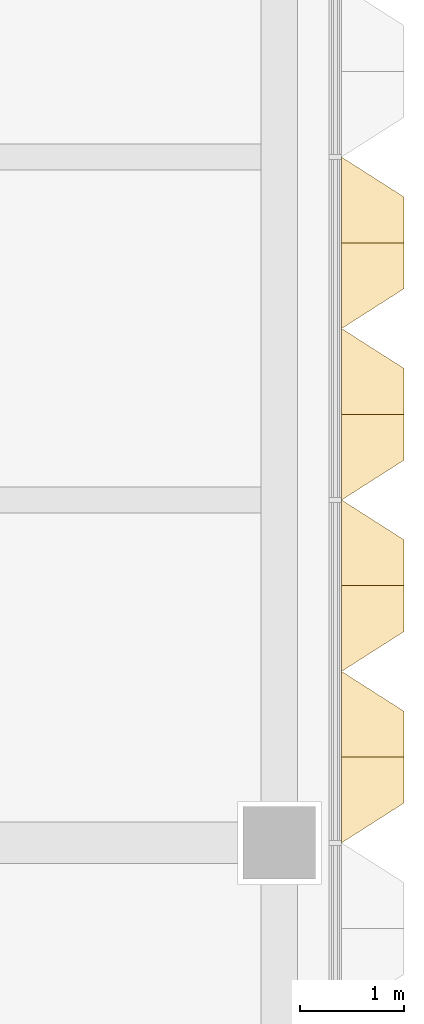
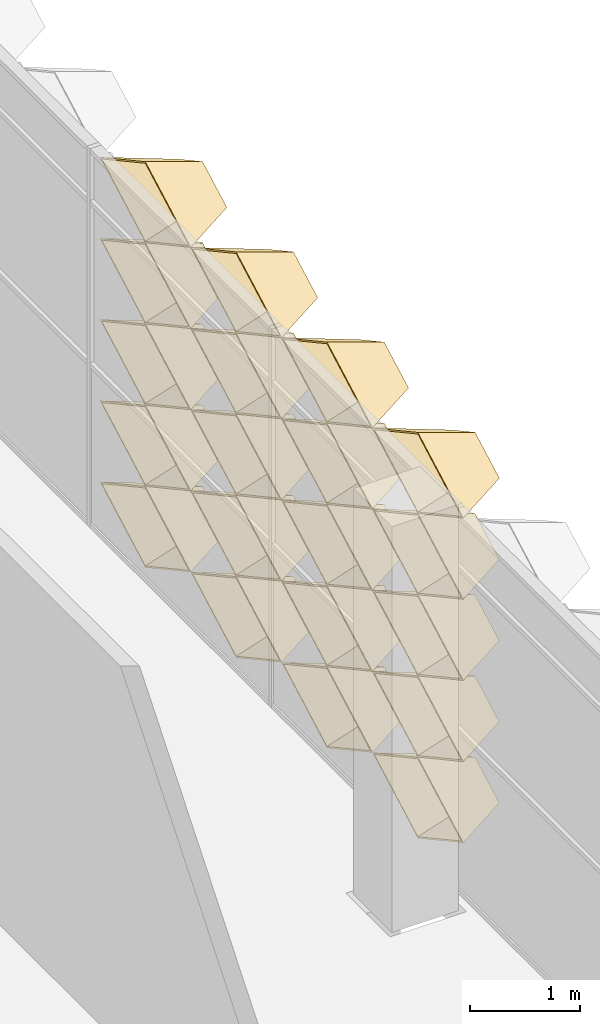
# One storey, part 19 of 29: 20 coverings.
"""IFC4 building model written with IfcOpenShell, lengths in metres."""

from ifc_helpers import new_model, entity, si_unit, direction, frame, origin, place, context, subcontext, project, spatial, material, layer, layer_set, type_object, element, save


model = new_model("IFC4")

# Units and contexts
model_context = context("Model", 3, precision=1e-05, world=origin(), true_north=direction((0.0, 1.0)))
body_context = subcontext(model_context, "Body", "Model", "MODEL_VIEW")
ifc_project = project(units=[si_unit("LENGTHUNIT", "METRE"), si_unit("AREAUNIT", "SQUARE_METRE"), si_unit("VOLUMEUNIT", "CUBIC_METRE"), si_unit("PLANEANGLEUNIT", "RADIAN"), si_unit("MASSUNIT", "GRAM", prefix="KILO")], contexts=[model_context])

# Site, building, storey
site_placement = place(None, origin())
site = spatial("IfcSite", under=ifc_project, at=site_placement, CompositionType="ELEMENT")
building_placement = place(site_placement, origin())
building = spatial("IfcBuilding", under=site, at=building_placement, Name="Lantern Court Research Institute", CompositionType="ELEMENT")
storey_placement = place(building_placement, frame((0.0, 0.0, 32.39990234375)))
storey = spatial("IfcBuildingStorey", under=building, at=storey_placement, Name="L07", CompositionType="ELEMENT", Elevation=32.39990234375)

# Coverings
ifc_material = material(Name="Anodised aluminium", Category="aluminium")
ifc_layer = layer(ifc_material, 0.01611328125)
ifc_layer_set = layer_set([ifc_layer], Name="Anodised aluminium")
covering_type = type_object("IfcCoveringType", Name="Fin cassette 1650 x 900 x 600 aluminium", PredefinedType="CLADDING", material=ifc_layer_set)
covering_1_placement = place(storey_placement, frame((79.800048828125, 0.824951171875, 0.4501953125), z_axis=(1.0, 0.0, 0.0), x_axis=(0.0, 1.0, 0.0)))
cartesian_point_1 = entity("IfcCartesianPoint", [0.824951171875, 0.0])
cartesian_point_2 = entity("IfcCartesianPoint", [0.79150390625, 0.0])
cartesian_point_3 = entity("IfcCartesianPoint", [0.44189453125, 0.0])
cartesian_point_4 = entity("IfcCartesianPoint", [0.43359375, 0.0])
element("IfcCovering", 1, at=covering_1_placement, inside=storey, type_object=covering_type, Name="Fin cassette V5E-L07 1.1", PredefinedType="CLADDING", context=body_context, shape_type="SweptSolid", body=[
    entity("IfcExtrudedAreaSolidTapered", entity("IfcArbitraryProfileDefWithVoids", "AREA", None, entity("IfcPolyline", [cartesian_point_1, entity("IfcCartesianPoint", [0.0, 0.449951171875]), entity("IfcCartesianPoint", [-0.824951171875, 0.0]), entity("IfcCartesianPoint", [0.0, -0.449951171875]), cartesian_point_1]), [entity("IfcPolyline", [cartesian_point_2, entity("IfcCartesianPoint", [0.0, 0.431884765625]), entity("IfcCartesianPoint", [-0.79150390625, 0.0]), entity("IfcCartesianPoint", [0.0, -0.431884765625]), cartesian_point_2])]), entity("IfcAxis2Placement3D", entity("IfcCartesianPoint", [0.0, 0.0, 0.0])), entity("IfcDirection", [0.0, 0.0, 1.0]), 0.60009765625, entity("IfcArbitraryProfileDefWithVoids", "AREA", None, entity("IfcPolyline", [cartesian_point_3, entity("IfcCartesianPoint", [0.0, 0.240966796875]), entity("IfcCartesianPoint", [-0.44189453125, 0.0]), entity("IfcCartesianPoint", [0.0, -0.240966796875]), cartesian_point_3]), [entity("IfcPolyline", [cartesian_point_4, entity("IfcCartesianPoint", [0.0, 0.236572265625]), entity("IfcCartesianPoint", [-0.43359375, 0.0]), entity("IfcCartesianPoint", [0.0, -0.236572265625]), cartesian_point_4])])),
])
covering_2_placement = place(storey_placement, frame((79.800048828125, 2.47509765625, 0.4501953125), z_axis=(1.0, 0.0, 0.0), x_axis=(0.0, 1.0, 0.0)))
cartesian_point_5 = entity("IfcCartesianPoint", [0.824951171875, 0.0])
cartesian_point_6 = entity("IfcCartesianPoint", [0.79150390625, 0.0])
cartesian_point_7 = entity("IfcCartesianPoint", [0.44189453125, 0.0])
cartesian_point_8 = entity("IfcCartesianPoint", [0.43359375, 0.0])
element("IfcCovering", 2, at=covering_2_placement, inside=storey, type_object=covering_type, Name="Fin cassette V5E-L07 1.2", PredefinedType="CLADDING", context=body_context, shape_type="SweptSolid", body=[
    entity("IfcExtrudedAreaSolidTapered", entity("IfcArbitraryProfileDefWithVoids", "AREA", None, entity("IfcPolyline", [cartesian_point_5, entity("IfcCartesianPoint", [0.0, 0.449951171875]), entity("IfcCartesianPoint", [-0.824951171875, 0.0]), entity("IfcCartesianPoint", [0.0, -0.449951171875]), cartesian_point_5]), [entity("IfcPolyline", [cartesian_point_6, entity("IfcCartesianPoint", [0.0, 0.431884765625]), entity("IfcCartesianPoint", [-0.79150390625, 0.0]), entity("IfcCartesianPoint", [0.0, -0.431884765625]), cartesian_point_6])]), entity("IfcAxis2Placement3D", entity("IfcCartesianPoint", [0.0, 0.0, 0.0])), entity("IfcDirection", [0.0, 0.0, 1.0]), 0.60009765625, entity("IfcArbitraryProfileDefWithVoids", "AREA", None, entity("IfcPolyline", [cartesian_point_7, entity("IfcCartesianPoint", [0.0, 0.240966796875]), entity("IfcCartesianPoint", [-0.44189453125, 0.0]), entity("IfcCartesianPoint", [0.0, -0.240966796875]), cartesian_point_7]), [entity("IfcPolyline", [cartesian_point_8, entity("IfcCartesianPoint", [0.0, 0.236572265625]), entity("IfcCartesianPoint", [-0.43359375, 0.0]), entity("IfcCartesianPoint", [0.0, -0.236572265625]), cartesian_point_8])])),
])
covering_3_placement = place(storey_placement, frame((79.800048828125, 4.125, 0.4501953125), z_axis=(1.0, 0.0, 0.0), x_axis=(0.0, 1.0, 0.0)))
cartesian_point_9 = entity("IfcCartesianPoint", [0.824951171875, 0.0])
cartesian_point_10 = entity("IfcCartesianPoint", [0.79150390625, 0.0])
cartesian_point_11 = entity("IfcCartesianPoint", [0.44189453125, 0.0])
cartesian_point_12 = entity("IfcCartesianPoint", [0.43359375, 0.0])
element("IfcCovering", 3, at=covering_3_placement, inside=storey, type_object=covering_type, Name="Fin cassette V5E-L07 1.3", PredefinedType="CLADDING", context=body_context, shape_type="SweptSolid", body=[
    entity("IfcExtrudedAreaSolidTapered", entity("IfcArbitraryProfileDefWithVoids", "AREA", None, entity("IfcPolyline", [cartesian_point_9, entity("IfcCartesianPoint", [0.0, 0.449951171875]), entity("IfcCartesianPoint", [-0.824951171875, 0.0]), entity("IfcCartesianPoint", [0.0, -0.449951171875]), cartesian_point_9]), [entity("IfcPolyline", [cartesian_point_10, entity("IfcCartesianPoint", [0.0, 0.431884765625]), entity("IfcCartesianPoint", [-0.79150390625, 0.0]), entity("IfcCartesianPoint", [0.0, -0.431884765625]), cartesian_point_10])]), entity("IfcAxis2Placement3D", entity("IfcCartesianPoint", [0.0, 0.0, 0.0])), entity("IfcDirection", [0.0, 0.0, 1.0]), 0.60009765625, entity("IfcArbitraryProfileDefWithVoids", "AREA", None, entity("IfcPolyline", [cartesian_point_11, entity("IfcCartesianPoint", [0.0, 0.240966796875]), entity("IfcCartesianPoint", [-0.44189453125, 0.0]), entity("IfcCartesianPoint", [0.0, -0.240966796875]), cartesian_point_11]), [entity("IfcPolyline", [cartesian_point_12, entity("IfcCartesianPoint", [0.0, 0.236572265625]), entity("IfcCartesianPoint", [-0.43359375, 0.0]), entity("IfcCartesianPoint", [0.0, -0.236572265625]), cartesian_point_12])])),
])
covering_4_placement = place(storey_placement, frame((79.800048828125, 5.77490234375, 0.4501953125), z_axis=(1.0, 0.0, 0.0), x_axis=(0.0, 1.0, 0.0)))
cartesian_point_13 = entity("IfcCartesianPoint", [0.824951171875, 0.0])
cartesian_point_14 = entity("IfcCartesianPoint", [0.79150390625, 0.0])
cartesian_point_15 = entity("IfcCartesianPoint", [0.44189453125, 0.0])
cartesian_point_16 = entity("IfcCartesianPoint", [0.43359375, 0.0])
element("IfcCovering", 4, at=covering_4_placement, inside=storey, type_object=covering_type, Name="Fin cassette V5E-L07 1.4", PredefinedType="CLADDING", context=body_context, shape_type="SweptSolid", body=[
    entity("IfcExtrudedAreaSolidTapered", entity("IfcArbitraryProfileDefWithVoids", "AREA", None, entity("IfcPolyline", [cartesian_point_13, entity("IfcCartesianPoint", [0.0, 0.449951171875]), entity("IfcCartesianPoint", [-0.824951171875, 0.0]), entity("IfcCartesianPoint", [0.0, -0.449951171875]), cartesian_point_13]), [entity("IfcPolyline", [cartesian_point_14, entity("IfcCartesianPoint", [0.0, 0.431884765625]), entity("IfcCartesianPoint", [-0.79150390625, 0.0]), entity("IfcCartesianPoint", [0.0, -0.431884765625]), cartesian_point_14])]), entity("IfcAxis2Placement3D", entity("IfcCartesianPoint", [0.0, 0.0, 0.0])), entity("IfcDirection", [0.0, 0.0, 1.0]), 0.60009765625, entity("IfcArbitraryProfileDefWithVoids", "AREA", None, entity("IfcPolyline", [cartesian_point_15, entity("IfcCartesianPoint", [0.0, 0.240966796875]), entity("IfcCartesianPoint", [-0.44189453125, 0.0]), entity("IfcCartesianPoint", [0.0, -0.240966796875]), cartesian_point_15]), [entity("IfcPolyline", [cartesian_point_16, entity("IfcCartesianPoint", [0.0, 0.236572265625]), entity("IfcCartesianPoint", [-0.43359375, 0.0]), entity("IfcCartesianPoint", [0.0, -0.236572265625]), cartesian_point_16])])),
])
covering_5_placement = place(storey_placement, frame((79.800048828125, 0.824951171875, 1.35009765625), z_axis=(1.0, 0.0, 0.0), x_axis=(0.0, 1.0, 0.0)))
cartesian_point_17 = entity("IfcCartesianPoint", [0.824951171875, 0.0])
cartesian_point_18 = entity("IfcCartesianPoint", [0.79150390625, 0.0])
cartesian_point_19 = entity("IfcCartesianPoint", [0.44189453125, 0.0])
cartesian_point_20 = entity("IfcCartesianPoint", [0.43359375, 0.0])
element("IfcCovering", 5, at=covering_5_placement, inside=storey, type_object=covering_type, Name="Fin cassette V5E-L07 2.1", PredefinedType="CLADDING", context=body_context, shape_type="SweptSolid", body=[
    entity("IfcExtrudedAreaSolidTapered", entity("IfcArbitraryProfileDefWithVoids", "AREA", None, entity("IfcPolyline", [cartesian_point_17, entity("IfcCartesianPoint", [0.0, 0.449951171875]), entity("IfcCartesianPoint", [-0.824951171875, 0.0]), entity("IfcCartesianPoint", [0.0, -0.449951171875]), cartesian_point_17]), [entity("IfcPolyline", [cartesian_point_18, entity("IfcCartesianPoint", [0.0, 0.431884765625]), entity("IfcCartesianPoint", [-0.79150390625, 0.0]), entity("IfcCartesianPoint", [0.0, -0.431884765625]), cartesian_point_18])]), entity("IfcAxis2Placement3D", entity("IfcCartesianPoint", [0.0, 0.0, 0.0])), entity("IfcDirection", [0.0, 0.0, 1.0]), 0.60009765625, entity("IfcArbitraryProfileDefWithVoids", "AREA", None, entity("IfcPolyline", [cartesian_point_19, entity("IfcCartesianPoint", [0.0, 0.240966796875]), entity("IfcCartesianPoint", [-0.44189453125, 0.0]), entity("IfcCartesianPoint", [0.0, -0.240966796875]), cartesian_point_19]), [entity("IfcPolyline", [cartesian_point_20, entity("IfcCartesianPoint", [0.0, 0.236572265625]), entity("IfcCartesianPoint", [-0.43359375, 0.0]), entity("IfcCartesianPoint", [0.0, -0.236572265625]), cartesian_point_20])])),
])
covering_6_placement = place(storey_placement, frame((79.800048828125, 2.47509765625, 1.35009765625), z_axis=(1.0, 0.0, 0.0), x_axis=(0.0, 1.0, 0.0)))
cartesian_point_21 = entity("IfcCartesianPoint", [0.824951171875, 0.0])
cartesian_point_22 = entity("IfcCartesianPoint", [0.79150390625, 0.0])
cartesian_point_23 = entity("IfcCartesianPoint", [0.44189453125, 0.0])
cartesian_point_24 = entity("IfcCartesianPoint", [0.43359375, 0.0])
element("IfcCovering", 6, at=covering_6_placement, inside=storey, type_object=covering_type, Name="Fin cassette V5E-L07 2.2", PredefinedType="CLADDING", context=body_context, shape_type="SweptSolid", body=[
    entity("IfcExtrudedAreaSolidTapered", entity("IfcArbitraryProfileDefWithVoids", "AREA", None, entity("IfcPolyline", [cartesian_point_21, entity("IfcCartesianPoint", [0.0, 0.449951171875]), entity("IfcCartesianPoint", [-0.824951171875, 0.0]), entity("IfcCartesianPoint", [0.0, -0.449951171875]), cartesian_point_21]), [entity("IfcPolyline", [cartesian_point_22, entity("IfcCartesianPoint", [0.0, 0.431884765625]), entity("IfcCartesianPoint", [-0.79150390625, 0.0]), entity("IfcCartesianPoint", [0.0, -0.431884765625]), cartesian_point_22])]), entity("IfcAxis2Placement3D", entity("IfcCartesianPoint", [0.0, 0.0, 0.0])), entity("IfcDirection", [0.0, 0.0, 1.0]), 0.60009765625, entity("IfcArbitraryProfileDefWithVoids", "AREA", None, entity("IfcPolyline", [cartesian_point_23, entity("IfcCartesianPoint", [0.0, 0.240966796875]), entity("IfcCartesianPoint", [-0.44189453125, 0.0]), entity("IfcCartesianPoint", [0.0, -0.240966796875]), cartesian_point_23]), [entity("IfcPolyline", [cartesian_point_24, entity("IfcCartesianPoint", [0.0, 0.236572265625]), entity("IfcCartesianPoint", [-0.43359375, 0.0]), entity("IfcCartesianPoint", [0.0, -0.236572265625]), cartesian_point_24])])),
])
covering_7_placement = place(storey_placement, frame((79.800048828125, 4.125, 1.35009765625), z_axis=(1.0, 0.0, 0.0), x_axis=(0.0, 1.0, 0.0)))
cartesian_point_25 = entity("IfcCartesianPoint", [0.824951171875, 0.0])
cartesian_point_26 = entity("IfcCartesianPoint", [0.79150390625, 0.0])
cartesian_point_27 = entity("IfcCartesianPoint", [0.44189453125, 0.0])
cartesian_point_28 = entity("IfcCartesianPoint", [0.43359375, 0.0])
element("IfcCovering", 7, at=covering_7_placement, inside=storey, type_object=covering_type, Name="Fin cassette V5E-L07 2.3", PredefinedType="CLADDING", context=body_context, shape_type="SweptSolid", body=[
    entity("IfcExtrudedAreaSolidTapered", entity("IfcArbitraryProfileDefWithVoids", "AREA", None, entity("IfcPolyline", [cartesian_point_25, entity("IfcCartesianPoint", [0.0, 0.449951171875]), entity("IfcCartesianPoint", [-0.824951171875, 0.0]), entity("IfcCartesianPoint", [0.0, -0.449951171875]), cartesian_point_25]), [entity("IfcPolyline", [cartesian_point_26, entity("IfcCartesianPoint", [0.0, 0.431884765625]), entity("IfcCartesianPoint", [-0.79150390625, 0.0]), entity("IfcCartesianPoint", [0.0, -0.431884765625]), cartesian_point_26])]), entity("IfcAxis2Placement3D", entity("IfcCartesianPoint", [0.0, 0.0, 0.0])), entity("IfcDirection", [0.0, 0.0, 1.0]), 0.60009765625, entity("IfcArbitraryProfileDefWithVoids", "AREA", None, entity("IfcPolyline", [cartesian_point_27, entity("IfcCartesianPoint", [0.0, 0.240966796875]), entity("IfcCartesianPoint", [-0.44189453125, 0.0]), entity("IfcCartesianPoint", [0.0, -0.240966796875]), cartesian_point_27]), [entity("IfcPolyline", [cartesian_point_28, entity("IfcCartesianPoint", [0.0, 0.236572265625]), entity("IfcCartesianPoint", [-0.43359375, 0.0]), entity("IfcCartesianPoint", [0.0, -0.236572265625]), cartesian_point_28])])),
])
covering_8_placement = place(storey_placement, frame((79.800048828125, 5.77490234375, 1.35009765625), z_axis=(1.0, 0.0, 0.0), x_axis=(0.0, 1.0, 0.0)))
cartesian_point_29 = entity("IfcCartesianPoint", [0.824951171875, 0.0])
cartesian_point_30 = entity("IfcCartesianPoint", [0.79150390625, 0.0])
cartesian_point_31 = entity("IfcCartesianPoint", [0.44189453125, 0.0])
cartesian_point_32 = entity("IfcCartesianPoint", [0.43359375, 0.0])
element("IfcCovering", 8, at=covering_8_placement, inside=storey, type_object=covering_type, Name="Fin cassette V5E-L07 2.4", PredefinedType="CLADDING", context=body_context, shape_type="SweptSolid", body=[
    entity("IfcExtrudedAreaSolidTapered", entity("IfcArbitraryProfileDefWithVoids", "AREA", None, entity("IfcPolyline", [cartesian_point_29, entity("IfcCartesianPoint", [0.0, 0.449951171875]), entity("IfcCartesianPoint", [-0.824951171875, 0.0]), entity("IfcCartesianPoint", [0.0, -0.449951171875]), cartesian_point_29]), [entity("IfcPolyline", [cartesian_point_30, entity("IfcCartesianPoint", [0.0, 0.431884765625]), entity("IfcCartesianPoint", [-0.79150390625, 0.0]), entity("IfcCartesianPoint", [0.0, -0.431884765625]), cartesian_point_30])]), entity("IfcAxis2Placement3D", entity("IfcCartesianPoint", [0.0, 0.0, 0.0])), entity("IfcDirection", [0.0, 0.0, 1.0]), 0.60009765625, entity("IfcArbitraryProfileDefWithVoids", "AREA", None, entity("IfcPolyline", [cartesian_point_31, entity("IfcCartesianPoint", [0.0, 0.240966796875]), entity("IfcCartesianPoint", [-0.44189453125, 0.0]), entity("IfcCartesianPoint", [0.0, -0.240966796875]), cartesian_point_31]), [entity("IfcPolyline", [cartesian_point_32, entity("IfcCartesianPoint", [0.0, 0.236572265625]), entity("IfcCartesianPoint", [-0.43359375, 0.0]), entity("IfcCartesianPoint", [0.0, -0.236572265625]), cartesian_point_32])])),
])
covering_9_placement = place(storey_placement, frame((79.800048828125, 0.824951171875, 2.25), z_axis=(1.0, 0.0, 0.0), x_axis=(0.0, 1.0, 0.0)))
cartesian_point_33 = entity("IfcCartesianPoint", [0.824951171875, 0.0])
cartesian_point_34 = entity("IfcCartesianPoint", [0.79150390625, 0.0])
cartesian_point_35 = entity("IfcCartesianPoint", [0.44189453125, 0.0])
cartesian_point_36 = entity("IfcCartesianPoint", [0.43359375, 0.0])
element("IfcCovering", 9, at=covering_9_placement, inside=storey, type_object=covering_type, Name="Fin cassette V5E-L07 3.1", PredefinedType="CLADDING", context=body_context, shape_type="SweptSolid", body=[
    entity("IfcExtrudedAreaSolidTapered", entity("IfcArbitraryProfileDefWithVoids", "AREA", None, entity("IfcPolyline", [cartesian_point_33, entity("IfcCartesianPoint", [0.0, 0.449951171875]), entity("IfcCartesianPoint", [-0.824951171875, 0.0]), entity("IfcCartesianPoint", [0.0, -0.449951171875]), cartesian_point_33]), [entity("IfcPolyline", [cartesian_point_34, entity("IfcCartesianPoint", [0.0, 0.431884765625]), entity("IfcCartesianPoint", [-0.79150390625, 0.0]), entity("IfcCartesianPoint", [0.0, -0.431884765625]), cartesian_point_34])]), entity("IfcAxis2Placement3D", entity("IfcCartesianPoint", [0.0, 0.0, 0.0])), entity("IfcDirection", [0.0, 0.0, 1.0]), 0.60009765625, entity("IfcArbitraryProfileDefWithVoids", "AREA", None, entity("IfcPolyline", [cartesian_point_35, entity("IfcCartesianPoint", [0.0, 0.240966796875]), entity("IfcCartesianPoint", [-0.44189453125, 0.0]), entity("IfcCartesianPoint", [0.0, -0.240966796875]), cartesian_point_35]), [entity("IfcPolyline", [cartesian_point_36, entity("IfcCartesianPoint", [0.0, 0.236572265625]), entity("IfcCartesianPoint", [-0.43359375, 0.0]), entity("IfcCartesianPoint", [0.0, -0.236572265625]), cartesian_point_36])])),
])
covering_10_placement = place(storey_placement, frame((79.800048828125, 2.47509765625, 2.25), z_axis=(1.0, 0.0, 0.0), x_axis=(0.0, 1.0, 0.0)))
cartesian_point_37 = entity("IfcCartesianPoint", [0.824951171875, 0.0])
cartesian_point_38 = entity("IfcCartesianPoint", [0.79150390625, 0.0])
cartesian_point_39 = entity("IfcCartesianPoint", [0.44189453125, 0.0])
cartesian_point_40 = entity("IfcCartesianPoint", [0.43359375, 0.0])
element("IfcCovering", 10, at=covering_10_placement, inside=storey, type_object=covering_type, Name="Fin cassette V5E-L07 3.2", PredefinedType="CLADDING", context=body_context, shape_type="SweptSolid", body=[
    entity("IfcExtrudedAreaSolidTapered", entity("IfcArbitraryProfileDefWithVoids", "AREA", None, entity("IfcPolyline", [cartesian_point_37, entity("IfcCartesianPoint", [0.0, 0.449951171875]), entity("IfcCartesianPoint", [-0.824951171875, 0.0]), entity("IfcCartesianPoint", [0.0, -0.449951171875]), cartesian_point_37]), [entity("IfcPolyline", [cartesian_point_38, entity("IfcCartesianPoint", [0.0, 0.431884765625]), entity("IfcCartesianPoint", [-0.79150390625, 0.0]), entity("IfcCartesianPoint", [0.0, -0.431884765625]), cartesian_point_38])]), entity("IfcAxis2Placement3D", entity("IfcCartesianPoint", [0.0, 0.0, 0.0])), entity("IfcDirection", [0.0, 0.0, 1.0]), 0.60009765625, entity("IfcArbitraryProfileDefWithVoids", "AREA", None, entity("IfcPolyline", [cartesian_point_39, entity("IfcCartesianPoint", [0.0, 0.240966796875]), entity("IfcCartesianPoint", [-0.44189453125, 0.0]), entity("IfcCartesianPoint", [0.0, -0.240966796875]), cartesian_point_39]), [entity("IfcPolyline", [cartesian_point_40, entity("IfcCartesianPoint", [0.0, 0.236572265625]), entity("IfcCartesianPoint", [-0.43359375, 0.0]), entity("IfcCartesianPoint", [0.0, -0.236572265625]), cartesian_point_40])])),
])
covering_11_placement = place(storey_placement, frame((79.800048828125, 4.125, 2.25), z_axis=(1.0, 0.0, 0.0), x_axis=(0.0, 1.0, 0.0)))
cartesian_point_41 = entity("IfcCartesianPoint", [0.824951171875, 0.0])
cartesian_point_42 = entity("IfcCartesianPoint", [0.79150390625, 0.0])
cartesian_point_43 = entity("IfcCartesianPoint", [0.44189453125, 0.0])
cartesian_point_44 = entity("IfcCartesianPoint", [0.43359375, 0.0])
element("IfcCovering", 11, at=covering_11_placement, inside=storey, type_object=covering_type, Name="Fin cassette V5E-L07 3.3", PredefinedType="CLADDING", context=body_context, shape_type="SweptSolid", body=[
    entity("IfcExtrudedAreaSolidTapered", entity("IfcArbitraryProfileDefWithVoids", "AREA", None, entity("IfcPolyline", [cartesian_point_41, entity("IfcCartesianPoint", [0.0, 0.449951171875]), entity("IfcCartesianPoint", [-0.824951171875, 0.0]), entity("IfcCartesianPoint", [0.0, -0.449951171875]), cartesian_point_41]), [entity("IfcPolyline", [cartesian_point_42, entity("IfcCartesianPoint", [0.0, 0.431884765625]), entity("IfcCartesianPoint", [-0.79150390625, 0.0]), entity("IfcCartesianPoint", [0.0, -0.431884765625]), cartesian_point_42])]), entity("IfcAxis2Placement3D", entity("IfcCartesianPoint", [0.0, 0.0, 0.0])), entity("IfcDirection", [0.0, 0.0, 1.0]), 0.60009765625, entity("IfcArbitraryProfileDefWithVoids", "AREA", None, entity("IfcPolyline", [cartesian_point_43, entity("IfcCartesianPoint", [0.0, 0.240966796875]), entity("IfcCartesianPoint", [-0.44189453125, 0.0]), entity("IfcCartesianPoint", [0.0, -0.240966796875]), cartesian_point_43]), [entity("IfcPolyline", [cartesian_point_44, entity("IfcCartesianPoint", [0.0, 0.236572265625]), entity("IfcCartesianPoint", [-0.43359375, 0.0]), entity("IfcCartesianPoint", [0.0, -0.236572265625]), cartesian_point_44])])),
])
covering_12_placement = place(storey_placement, frame((79.800048828125, 5.77490234375, 2.25), z_axis=(1.0, 0.0, 0.0), x_axis=(0.0, 1.0, 0.0)))
cartesian_point_45 = entity("IfcCartesianPoint", [0.824951171875, 0.0])
cartesian_point_46 = entity("IfcCartesianPoint", [0.79150390625, 0.0])
cartesian_point_47 = entity("IfcCartesianPoint", [0.44189453125, 0.0])
cartesian_point_48 = entity("IfcCartesianPoint", [0.43359375, 0.0])
element("IfcCovering", 12, at=covering_12_placement, inside=storey, type_object=covering_type, Name="Fin cassette V5E-L07 3.4", PredefinedType="CLADDING", context=body_context, shape_type="SweptSolid", body=[
    entity("IfcExtrudedAreaSolidTapered", entity("IfcArbitraryProfileDefWithVoids", "AREA", None, entity("IfcPolyline", [cartesian_point_45, entity("IfcCartesianPoint", [0.0, 0.449951171875]), entity("IfcCartesianPoint", [-0.824951171875, 0.0]), entity("IfcCartesianPoint", [0.0, -0.449951171875]), cartesian_point_45]), [entity("IfcPolyline", [cartesian_point_46, entity("IfcCartesianPoint", [0.0, 0.431884765625]), entity("IfcCartesianPoint", [-0.79150390625, 0.0]), entity("IfcCartesianPoint", [0.0, -0.431884765625]), cartesian_point_46])]), entity("IfcAxis2Placement3D", entity("IfcCartesianPoint", [0.0, 0.0, 0.0])), entity("IfcDirection", [0.0, 0.0, 1.0]), 0.60009765625, entity("IfcArbitraryProfileDefWithVoids", "AREA", None, entity("IfcPolyline", [cartesian_point_47, entity("IfcCartesianPoint", [0.0, 0.240966796875]), entity("IfcCartesianPoint", [-0.44189453125, 0.0]), entity("IfcCartesianPoint", [0.0, -0.240966796875]), cartesian_point_47]), [entity("IfcPolyline", [cartesian_point_48, entity("IfcCartesianPoint", [0.0, 0.236572265625]), entity("IfcCartesianPoint", [-0.43359375, 0.0]), entity("IfcCartesianPoint", [0.0, -0.236572265625]), cartesian_point_48])])),
])
covering_13_placement = place(storey_placement, frame((79.800048828125, 0.824951171875, 3.150146484375), z_axis=(1.0, 0.0, 0.0), x_axis=(0.0, 1.0, 0.0)))
cartesian_point_49 = entity("IfcCartesianPoint", [0.824951171875, 0.0])
cartesian_point_50 = entity("IfcCartesianPoint", [0.79150390625, 0.0])
cartesian_point_51 = entity("IfcCartesianPoint", [0.44189453125, 0.0])
cartesian_point_52 = entity("IfcCartesianPoint", [0.43359375, 0.0])
element("IfcCovering", 13, at=covering_13_placement, inside=storey, type_object=covering_type, Name="Fin cassette V5E-L07 4.1", PredefinedType="CLADDING", context=body_context, shape_type="SweptSolid", body=[
    entity("IfcExtrudedAreaSolidTapered", entity("IfcArbitraryProfileDefWithVoids", "AREA", None, entity("IfcPolyline", [cartesian_point_49, entity("IfcCartesianPoint", [0.0, 0.449951171875]), entity("IfcCartesianPoint", [-0.824951171875, 0.0]), entity("IfcCartesianPoint", [0.0, -0.449951171875]), cartesian_point_49]), [entity("IfcPolyline", [cartesian_point_50, entity("IfcCartesianPoint", [0.0, 0.431884765625]), entity("IfcCartesianPoint", [-0.79150390625, 0.0]), entity("IfcCartesianPoint", [0.0, -0.431884765625]), cartesian_point_50])]), entity("IfcAxis2Placement3D", entity("IfcCartesianPoint", [0.0, 0.0, 0.0])), entity("IfcDirection", [0.0, 0.0, 1.0]), 0.60009765625, entity("IfcArbitraryProfileDefWithVoids", "AREA", None, entity("IfcPolyline", [cartesian_point_51, entity("IfcCartesianPoint", [0.0, 0.240966796875]), entity("IfcCartesianPoint", [-0.44189453125, 0.0]), entity("IfcCartesianPoint", [0.0, -0.240966796875]), cartesian_point_51]), [entity("IfcPolyline", [cartesian_point_52, entity("IfcCartesianPoint", [0.0, 0.236572265625]), entity("IfcCartesianPoint", [-0.43359375, 0.0]), entity("IfcCartesianPoint", [0.0, -0.236572265625]), cartesian_point_52])])),
])
covering_14_placement = place(storey_placement, frame((79.800048828125, 2.47509765625, 3.150146484375), z_axis=(1.0, 0.0, 0.0), x_axis=(0.0, 1.0, 0.0)))
cartesian_point_53 = entity("IfcCartesianPoint", [0.824951171875, 0.0])
cartesian_point_54 = entity("IfcCartesianPoint", [0.79150390625, 0.0])
cartesian_point_55 = entity("IfcCartesianPoint", [0.44189453125, 0.0])
cartesian_point_56 = entity("IfcCartesianPoint", [0.43359375, 0.0])
element("IfcCovering", 14, at=covering_14_placement, inside=storey, type_object=covering_type, Name="Fin cassette V5E-L07 4.2", PredefinedType="CLADDING", context=body_context, shape_type="SweptSolid", body=[
    entity("IfcExtrudedAreaSolidTapered", entity("IfcArbitraryProfileDefWithVoids", "AREA", None, entity("IfcPolyline", [cartesian_point_53, entity("IfcCartesianPoint", [0.0, 0.449951171875]), entity("IfcCartesianPoint", [-0.824951171875, 0.0]), entity("IfcCartesianPoint", [0.0, -0.449951171875]), cartesian_point_53]), [entity("IfcPolyline", [cartesian_point_54, entity("IfcCartesianPoint", [0.0, 0.431884765625]), entity("IfcCartesianPoint", [-0.79150390625, 0.0]), entity("IfcCartesianPoint", [0.0, -0.431884765625]), cartesian_point_54])]), entity("IfcAxis2Placement3D", entity("IfcCartesianPoint", [0.0, 0.0, 0.0])), entity("IfcDirection", [0.0, 0.0, 1.0]), 0.60009765625, entity("IfcArbitraryProfileDefWithVoids", "AREA", None, entity("IfcPolyline", [cartesian_point_55, entity("IfcCartesianPoint", [0.0, 0.240966796875]), entity("IfcCartesianPoint", [-0.44189453125, 0.0]), entity("IfcCartesianPoint", [0.0, -0.240966796875]), cartesian_point_55]), [entity("IfcPolyline", [cartesian_point_56, entity("IfcCartesianPoint", [0.0, 0.236572265625]), entity("IfcCartesianPoint", [-0.43359375, 0.0]), entity("IfcCartesianPoint", [0.0, -0.236572265625]), cartesian_point_56])])),
])
covering_15_placement = place(storey_placement, frame((79.800048828125, 4.125, 3.150146484375), z_axis=(1.0, 0.0, 0.0), x_axis=(0.0, 1.0, 0.0)))
cartesian_point_57 = entity("IfcCartesianPoint", [0.824951171875, 0.0])
cartesian_point_58 = entity("IfcCartesianPoint", [0.79150390625, 0.0])
cartesian_point_59 = entity("IfcCartesianPoint", [0.44189453125, 0.0])
cartesian_point_60 = entity("IfcCartesianPoint", [0.43359375, 0.0])
element("IfcCovering", 15, at=covering_15_placement, inside=storey, type_object=covering_type, Name="Fin cassette V5E-L07 4.3", PredefinedType="CLADDING", context=body_context, shape_type="SweptSolid", body=[
    entity("IfcExtrudedAreaSolidTapered", entity("IfcArbitraryProfileDefWithVoids", "AREA", None, entity("IfcPolyline", [cartesian_point_57, entity("IfcCartesianPoint", [0.0, 0.449951171875]), entity("IfcCartesianPoint", [-0.824951171875, 0.0]), entity("IfcCartesianPoint", [0.0, -0.449951171875]), cartesian_point_57]), [entity("IfcPolyline", [cartesian_point_58, entity("IfcCartesianPoint", [0.0, 0.431884765625]), entity("IfcCartesianPoint", [-0.79150390625, 0.0]), entity("IfcCartesianPoint", [0.0, -0.431884765625]), cartesian_point_58])]), entity("IfcAxis2Placement3D", entity("IfcCartesianPoint", [0.0, 0.0, 0.0])), entity("IfcDirection", [0.0, 0.0, 1.0]), 0.60009765625, entity("IfcArbitraryProfileDefWithVoids", "AREA", None, entity("IfcPolyline", [cartesian_point_59, entity("IfcCartesianPoint", [0.0, 0.240966796875]), entity("IfcCartesianPoint", [-0.44189453125, 0.0]), entity("IfcCartesianPoint", [0.0, -0.240966796875]), cartesian_point_59]), [entity("IfcPolyline", [cartesian_point_60, entity("IfcCartesianPoint", [0.0, 0.236572265625]), entity("IfcCartesianPoint", [-0.43359375, 0.0]), entity("IfcCartesianPoint", [0.0, -0.236572265625]), cartesian_point_60])])),
])
covering_16_placement = place(storey_placement, frame((79.800048828125, 5.77490234375, 3.150146484375), z_axis=(1.0, 0.0, 0.0), x_axis=(0.0, 1.0, 0.0)))
cartesian_point_61 = entity("IfcCartesianPoint", [0.824951171875, 0.0])
cartesian_point_62 = entity("IfcCartesianPoint", [0.79150390625, 0.0])
cartesian_point_63 = entity("IfcCartesianPoint", [0.44189453125, 0.0])
cartesian_point_64 = entity("IfcCartesianPoint", [0.43359375, 0.0])
element("IfcCovering", 16, at=covering_16_placement, inside=storey, type_object=covering_type, Name="Fin cassette V5E-L07 4.4", PredefinedType="CLADDING", context=body_context, shape_type="SweptSolid", body=[
    entity("IfcExtrudedAreaSolidTapered", entity("IfcArbitraryProfileDefWithVoids", "AREA", None, entity("IfcPolyline", [cartesian_point_61, entity("IfcCartesianPoint", [0.0, 0.449951171875]), entity("IfcCartesianPoint", [-0.824951171875, 0.0]), entity("IfcCartesianPoint", [0.0, -0.449951171875]), cartesian_point_61]), [entity("IfcPolyline", [cartesian_point_62, entity("IfcCartesianPoint", [0.0, 0.431884765625]), entity("IfcCartesianPoint", [-0.79150390625, 0.0]), entity("IfcCartesianPoint", [0.0, -0.431884765625]), cartesian_point_62])]), entity("IfcAxis2Placement3D", entity("IfcCartesianPoint", [0.0, 0.0, 0.0])), entity("IfcDirection", [0.0, 0.0, 1.0]), 0.60009765625, entity("IfcArbitraryProfileDefWithVoids", "AREA", None, entity("IfcPolyline", [cartesian_point_63, entity("IfcCartesianPoint", [0.0, 0.240966796875]), entity("IfcCartesianPoint", [-0.44189453125, 0.0]), entity("IfcCartesianPoint", [0.0, -0.240966796875]), cartesian_point_63]), [entity("IfcPolyline", [cartesian_point_64, entity("IfcCartesianPoint", [0.0, 0.236572265625]), entity("IfcCartesianPoint", [-0.43359375, 0.0]), entity("IfcCartesianPoint", [0.0, -0.236572265625]), cartesian_point_64])])),
])
covering_17_placement = place(storey_placement, frame((79.800048828125, 0.824951171875, 4.050048828125), z_axis=(1.0, 0.0, 0.0), x_axis=(0.0, 1.0, 0.0)))
cartesian_point_65 = entity("IfcCartesianPoint", [0.824951171875, 0.0])
cartesian_point_66 = entity("IfcCartesianPoint", [0.79150390625, 0.0])
cartesian_point_67 = entity("IfcCartesianPoint", [0.44189453125, 0.0])
cartesian_point_68 = entity("IfcCartesianPoint", [0.43359375, 0.0])
element("IfcCovering", 17, at=covering_17_placement, inside=storey, type_object=covering_type, Name="Fin cassette V5E-L07 5.1", PredefinedType="CLADDING", context=body_context, shape_type="SweptSolid", body=[
    entity("IfcExtrudedAreaSolidTapered", entity("IfcArbitraryProfileDefWithVoids", "AREA", None, entity("IfcPolyline", [cartesian_point_65, entity("IfcCartesianPoint", [0.0, 0.449951171875]), entity("IfcCartesianPoint", [-0.824951171875, 0.0]), entity("IfcCartesianPoint", [0.0, -0.449951171875]), cartesian_point_65]), [entity("IfcPolyline", [cartesian_point_66, entity("IfcCartesianPoint", [0.0, 0.431884765625]), entity("IfcCartesianPoint", [-0.79150390625, 0.0]), entity("IfcCartesianPoint", [0.0, -0.431884765625]), cartesian_point_66])]), entity("IfcAxis2Placement3D", entity("IfcCartesianPoint", [0.0, 0.0, 0.0])), entity("IfcDirection", [0.0, 0.0, 1.0]), 0.60009765625, entity("IfcArbitraryProfileDefWithVoids", "AREA", None, entity("IfcPolyline", [cartesian_point_67, entity("IfcCartesianPoint", [0.0, 0.240966796875]), entity("IfcCartesianPoint", [-0.44189453125, 0.0]), entity("IfcCartesianPoint", [0.0, -0.240966796875]), cartesian_point_67]), [entity("IfcPolyline", [cartesian_point_68, entity("IfcCartesianPoint", [0.0, 0.236572265625]), entity("IfcCartesianPoint", [-0.43359375, 0.0]), entity("IfcCartesianPoint", [0.0, -0.236572265625]), cartesian_point_68])])),
])
covering_18_placement = place(storey_placement, frame((79.800048828125, 2.47509765625, 4.050048828125), z_axis=(1.0, 0.0, 0.0), x_axis=(0.0, 1.0, 0.0)))
cartesian_point_69 = entity("IfcCartesianPoint", [0.824951171875, 0.0])
cartesian_point_70 = entity("IfcCartesianPoint", [0.79150390625, 0.0])
cartesian_point_71 = entity("IfcCartesianPoint", [0.44189453125, 0.0])
cartesian_point_72 = entity("IfcCartesianPoint", [0.43359375, 0.0])
element("IfcCovering", 18, at=covering_18_placement, inside=storey, type_object=covering_type, Name="Fin cassette V5E-L07 5.2", PredefinedType="CLADDING", context=body_context, shape_type="SweptSolid", body=[
    entity("IfcExtrudedAreaSolidTapered", entity("IfcArbitraryProfileDefWithVoids", "AREA", None, entity("IfcPolyline", [cartesian_point_69, entity("IfcCartesianPoint", [0.0, 0.449951171875]), entity("IfcCartesianPoint", [-0.824951171875, 0.0]), entity("IfcCartesianPoint", [0.0, -0.449951171875]), cartesian_point_69]), [entity("IfcPolyline", [cartesian_point_70, entity("IfcCartesianPoint", [0.0, 0.431884765625]), entity("IfcCartesianPoint", [-0.79150390625, 0.0]), entity("IfcCartesianPoint", [0.0, -0.431884765625]), cartesian_point_70])]), entity("IfcAxis2Placement3D", entity("IfcCartesianPoint", [0.0, 0.0, 0.0])), entity("IfcDirection", [0.0, 0.0, 1.0]), 0.60009765625, entity("IfcArbitraryProfileDefWithVoids", "AREA", None, entity("IfcPolyline", [cartesian_point_71, entity("IfcCartesianPoint", [0.0, 0.240966796875]), entity("IfcCartesianPoint", [-0.44189453125, 0.0]), entity("IfcCartesianPoint", [0.0, -0.240966796875]), cartesian_point_71]), [entity("IfcPolyline", [cartesian_point_72, entity("IfcCartesianPoint", [0.0, 0.236572265625]), entity("IfcCartesianPoint", [-0.43359375, 0.0]), entity("IfcCartesianPoint", [0.0, -0.236572265625]), cartesian_point_72])])),
])
covering_19_placement = place(storey_placement, frame((79.800048828125, 4.125, 4.050048828125), z_axis=(1.0, 0.0, 0.0), x_axis=(0.0, 1.0, 0.0)))
cartesian_point_73 = entity("IfcCartesianPoint", [0.824951171875, 0.0])
cartesian_point_74 = entity("IfcCartesianPoint", [0.79150390625, 0.0])
cartesian_point_75 = entity("IfcCartesianPoint", [0.44189453125, 0.0])
cartesian_point_76 = entity("IfcCartesianPoint", [0.43359375, 0.0])
element("IfcCovering", 19, at=covering_19_placement, inside=storey, type_object=covering_type, Name="Fin cassette V5E-L07 5.3", PredefinedType="CLADDING", context=body_context, shape_type="SweptSolid", body=[
    entity("IfcExtrudedAreaSolidTapered", entity("IfcArbitraryProfileDefWithVoids", "AREA", None, entity("IfcPolyline", [cartesian_point_73, entity("IfcCartesianPoint", [0.0, 0.449951171875]), entity("IfcCartesianPoint", [-0.824951171875, 0.0]), entity("IfcCartesianPoint", [0.0, -0.449951171875]), cartesian_point_73]), [entity("IfcPolyline", [cartesian_point_74, entity("IfcCartesianPoint", [0.0, 0.431884765625]), entity("IfcCartesianPoint", [-0.79150390625, 0.0]), entity("IfcCartesianPoint", [0.0, -0.431884765625]), cartesian_point_74])]), entity("IfcAxis2Placement3D", entity("IfcCartesianPoint", [0.0, 0.0, 0.0])), entity("IfcDirection", [0.0, 0.0, 1.0]), 0.60009765625, entity("IfcArbitraryProfileDefWithVoids", "AREA", None, entity("IfcPolyline", [cartesian_point_75, entity("IfcCartesianPoint", [0.0, 0.240966796875]), entity("IfcCartesianPoint", [-0.44189453125, 0.0]), entity("IfcCartesianPoint", [0.0, -0.240966796875]), cartesian_point_75]), [entity("IfcPolyline", [cartesian_point_76, entity("IfcCartesianPoint", [0.0, 0.236572265625]), entity("IfcCartesianPoint", [-0.43359375, 0.0]), entity("IfcCartesianPoint", [0.0, -0.236572265625]), cartesian_point_76])])),
])
covering_20_placement = place(storey_placement, frame((79.800048828125, 5.77490234375, 4.050048828125), z_axis=(1.0, 0.0, 0.0), x_axis=(0.0, 1.0, 0.0)))
cartesian_point_77 = entity("IfcCartesianPoint", [0.824951171875, 0.0])
cartesian_point_78 = entity("IfcCartesianPoint", [0.79150390625, 0.0])
cartesian_point_79 = entity("IfcCartesianPoint", [0.44189453125, 0.0])
cartesian_point_80 = entity("IfcCartesianPoint", [0.43359375, 0.0])
element("IfcCovering", 20, at=covering_20_placement, inside=storey, type_object=covering_type, Name="Fin cassette V5E-L07 5.4", PredefinedType="CLADDING", context=body_context, shape_type="SweptSolid", body=[
    entity("IfcExtrudedAreaSolidTapered", entity("IfcArbitraryProfileDefWithVoids", "AREA", None, entity("IfcPolyline", [cartesian_point_77, entity("IfcCartesianPoint", [0.0, 0.449951171875]), entity("IfcCartesianPoint", [-0.824951171875, 0.0]), entity("IfcCartesianPoint", [0.0, -0.449951171875]), cartesian_point_77]), [entity("IfcPolyline", [cartesian_point_78, entity("IfcCartesianPoint", [0.0, 0.431884765625]), entity("IfcCartesianPoint", [-0.79150390625, 0.0]), entity("IfcCartesianPoint", [0.0, -0.431884765625]), cartesian_point_78])]), entity("IfcAxis2Placement3D", entity("IfcCartesianPoint", [0.0, 0.0, 0.0])), entity("IfcDirection", [0.0, 0.0, 1.0]), 0.60009765625, entity("IfcArbitraryProfileDefWithVoids", "AREA", None, entity("IfcPolyline", [cartesian_point_79, entity("IfcCartesianPoint", [0.0, 0.240966796875]), entity("IfcCartesianPoint", [-0.44189453125, 0.0]), entity("IfcCartesianPoint", [0.0, -0.240966796875]), cartesian_point_79]), [entity("IfcPolyline", [cartesian_point_80, entity("IfcCartesianPoint", [0.0, 0.236572265625]), entity("IfcCartesianPoint", [-0.43359375, 0.0]), entity("IfcCartesianPoint", [0.0, -0.236572265625]), cartesian_point_80])])),
])

save(model, "model.ifc")
